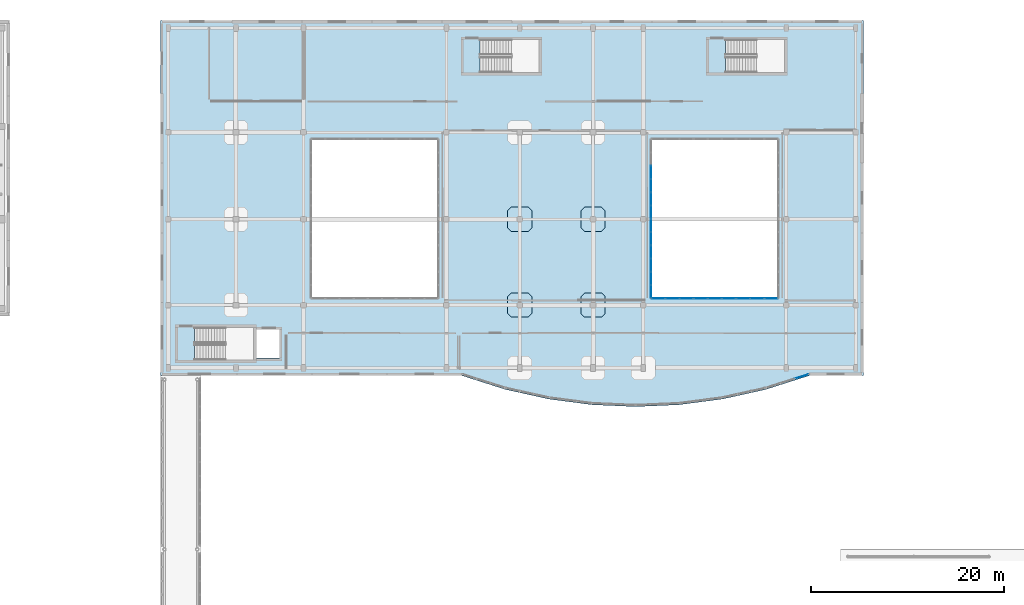
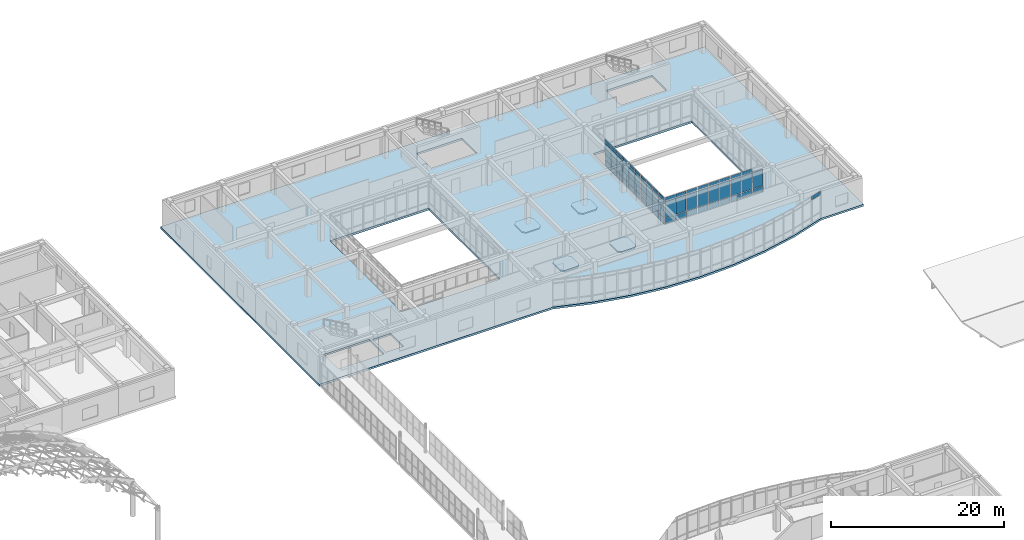
# One storey, part 119 of 146: 57 plates, 5 slabs, 7 elements without a shape of their own.
"""IFC4 building model written with IfcOpenShell, lengths in metres."""

from ifc_helpers import new_model, si_unit, direction, frame, origin, origin_2d, place, context, subcontext, project, spatial, polyline, rectangle, outline, extrude, material, layer, layer_set, type_object, element, aggregate, save


model = new_model("IFC4")

# Units and contexts
model_context = context("Model", 3, precision=1e-05, world=origin(), true_north=direction((0.0, 1.0)))
body_context = subcontext(model_context, "Body", "Model", "MODEL_VIEW")
ifc_project = project(units=[si_unit("LENGTHUNIT", "METRE"), si_unit("AREAUNIT", "SQUARE_METRE"), si_unit("VOLUMEUNIT", "CUBIC_METRE"), si_unit("PLANEANGLEUNIT", "RADIAN"), si_unit("MASSUNIT", "GRAM", prefix="KILO")], contexts=[model_context])

# Site, building, storey
site_placement = place(None, origin())
site = spatial("IfcSite", under=ifc_project, at=site_placement, CompositionType="ELEMENT")
building_placement = place(site_placement, origin())
building = spatial("IfcBuilding", under=site, at=building_placement, Name="Valcora Specialist Clinic", CompositionType="ELEMENT")
storey_placement = place(building_placement, frame((0.0, 0.0, 9.52001953125)))
storey = spatial("IfcBuildingStorey", under=building, at=storey_placement, Name="L02", CompositionType="ELEMENT", Elevation=9.52001953125)

# Curtain wall, plates
ifc_material_1 = material(Name="Anodized Bronze Aluminium 6063-T6", Category="aluminium")
ifc_layer_1 = layer(ifc_material_1, 0.175048828125)
ifc_layer_set_1 = layer_set([ifc_layer_1], Name="Anodized Bronze Aluminium 6063-T6")
curtain_wall_type_1 = type_object("IfcCurtainWallType", Name="TY-CW-CRT15", PredefinedType="NOTDEFINED", material=ifc_layer_set_1)
curtain_wall_1_placement = place(storey_placement, origin())
curtain_wall_1 = element("IfcCurtainWall", 1, at=curtain_wall_1_placement, inside=storey, type_object=curtain_wall_type_1, Name="Curtain wall CW-L02-106", PredefinedType="NOTDEFINED")
ifc_material_2 = material(Name="Low-E Laminated Insulating Glass", Category="glass")
ifc_layer_2 = layer(ifc_material_2, 0.028076171875)
ifc_layer_set_2 = layer_set([ifc_layer_2], Name="Low-E Laminated Insulating Glass")
plate_type_1 = type_object("IfcPlateType", Name="TY-CWP-GLZ28", PredefinedType="CURTAIN_PANEL", material=ifc_layer_set_2)
plate_1_placement = place(storey_placement, frame((117.149658203125, 82.0, 0.882568359375), z_axis=(0.0, 0.0, 1.0), x_axis=(1.0, 0.0, 0.0)))
plate_1 = element("IfcPlate", 2, at=plate_1_placement, type_object=plate_type_1, Name="CW-CRT-15 panel 1.2", PredefinedType="CURTAIN_PANEL", context=body_context, shape_type="SweptSolid", body=[
    extrude(rectangle(XDim=1.369140625, YDim=0.028076171875, at=origin_2d()), origin(), (0.0, 0.0, 1.0), 2.35498046875),
])
plate_2_placement = place(storey_placement, frame((117.149658203125, 82.0, 3.302734375), z_axis=(0.0, 0.0, 1.0), x_axis=(1.0, 0.0, 0.0)))
plate_2 = element("IfcPlate", 3, at=plate_2_placement, type_object=plate_type_1, Name="CW-CRT-15 panel 1.3", PredefinedType="CURTAIN_PANEL", context=body_context, shape_type="SweptSolid", body=[
    extrude(rectangle(XDim=1.369140625, YDim=0.028076171875, at=origin_2d()), origin(), (0.0, 0.0, 1.0), 0.452392578125),
])
plate_3_placement = place(storey_placement, frame((118.60009765625, 82.0, 0.882568359375), z_axis=(0.0, 0.0, 1.0), x_axis=(1.0, 0.0, 0.0)))
plate_3 = element("IfcPlate", 4, at=plate_3_placement, type_object=plate_type_1, Name="CW-CRT-15 panel 2.2", PredefinedType="CURTAIN_PANEL", context=body_context, shape_type="SweptSolid", body=[
    extrude(rectangle(XDim=1.401611328125, YDim=0.028076171875, at=origin_2d()), origin(), (0.0, 0.0, 1.0), 2.35498046875),
])
plate_4_placement = place(storey_placement, frame((118.60009765625, 82.0, 3.302734375), z_axis=(0.0, 0.0, 1.0), x_axis=(1.0, 0.0, 0.0)))
plate_4 = element("IfcPlate", 5, at=plate_4_placement, type_object=plate_type_1, Name="CW-CRT-15 panel 2.3", PredefinedType="CURTAIN_PANEL", context=body_context, shape_type="SweptSolid", body=[
    extrude(rectangle(XDim=1.401611328125, YDim=0.028076171875, at=origin_2d()), origin(), (0.0, 0.0, 1.0), 0.452392578125),
])
plate_5_placement = place(storey_placement, frame((120.050537109375, 82.0, 0.882568359375), z_axis=(0.0, 0.0, 1.0), x_axis=(1.0, 0.0, 0.0)))
plate_5 = element("IfcPlate", 6, at=plate_5_placement, type_object=plate_type_1, Name="CW-CRT-15 panel 3.2", PredefinedType="CURTAIN_PANEL", context=body_context, shape_type="SweptSolid", body=[
    extrude(rectangle(XDim=1.369140625, YDim=0.028076171875, at=origin_2d()), origin(), (0.0, 0.0, 1.0), 2.35498046875),
])
plate_6_placement = place(storey_placement, frame((120.050537109375, 82.0, 3.302734375), z_axis=(0.0, 0.0, 1.0), x_axis=(1.0, 0.0, 0.0)))
plate_6 = element("IfcPlate", 7, at=plate_6_placement, type_object=plate_type_1, Name="CW-CRT-15 panel 3.3", PredefinedType="CURTAIN_PANEL", context=body_context, shape_type="SweptSolid", body=[
    extrude(rectangle(XDim=1.369140625, YDim=0.028076171875, at=origin_2d()), origin(), (0.0, 0.0, 1.0), 0.452392578125),
])

curtain_wall_2_placement = place(storey_placement, origin())
curtain_wall_2 = element("IfcCurtainWall", 8, at=curtain_wall_2_placement, inside=storey, type_object=curtain_wall_type_1, Name="Curtain wall CW-L02-114", PredefinedType="NOTDEFINED")
plate_7_placement = place(storey_placement, frame((112.0, 95.0625, 0.882568359375), z_axis=(0.0, 0.0, 1.0), x_axis=(0.0, -1.0, 0.0)))
plate_7 = element("IfcPlate", 9, at=plate_7_placement, type_object=plate_type_1, Name="CW-CRT-15 panel 3.2", PredefinedType="CURTAIN_PANEL", context=body_context, shape_type="SweptSolid", body=[
    extrude(rectangle(XDim=1.31005859375, YDim=0.028076171875, at=origin_2d()), origin(), (0.0, 0.0, 1.0), 2.35498046875),
])
plate_8_placement = place(storey_placement, frame((112.0, 95.0625, 3.302734375), z_axis=(0.0, 0.0, 1.0), x_axis=(0.0, -1.0, 0.0)))
plate_8 = element("IfcPlate", 10, at=plate_8_placement, type_object=plate_type_1, Name="CW-CRT-15 panel 3.3", PredefinedType="CURTAIN_PANEL", context=body_context, shape_type="SweptSolid", body=[
    extrude(rectangle(XDim=1.31005859375, YDim=0.028076171875, at=origin_2d()), origin(), (0.0, 0.0, 1.0), 0.452392578125),
])
plate_9_placement = place(storey_placement, frame((112.0, 93.703857421875, 0.882568359375), z_axis=(0.0, 0.0, 1.0), x_axis=(0.0, -1.0, 0.0)))
plate_9 = element("IfcPlate", 11, at=plate_9_placement, type_object=plate_type_1, Name="CW-CRT-15 panel 4.2", PredefinedType="CURTAIN_PANEL", context=body_context, shape_type="SweptSolid", body=[
    extrude(rectangle(XDim=1.277587890625, YDim=0.028076171875, at=origin_2d()), origin(), (0.0, 0.0, 1.0), 2.35498046875),
])
plate_10_placement = place(storey_placement, frame((112.0, 93.703857421875, 3.302734375), z_axis=(0.0, 0.0, 1.0), x_axis=(0.0, -1.0, 0.0)))
plate_10 = element("IfcPlate", 12, at=plate_10_placement, type_object=plate_type_1, Name="CW-CRT-15 panel 4.3", PredefinedType="CURTAIN_PANEL", context=body_context, shape_type="SweptSolid", body=[
    extrude(rectangle(XDim=1.277587890625, YDim=0.028076171875, at=origin_2d()), origin(), (0.0, 0.0, 1.0), 0.452392578125),
])

curtain_wall_3_placement = place(storey_placement, origin())
curtain_wall_3 = element("IfcCurtainWall", 13, at=curtain_wall_3_placement, inside=storey, type_object=curtain_wall_type_1, Name="Curtain wall CW-L02-116", PredefinedType="NOTDEFINED")
plate_11_placement = place(storey_placement, frame((112.0, 86.796142578125, 0.882568359375), z_axis=(0.0, 0.0, 1.0), x_axis=(0.0, -1.0, 0.0)))
plate_11 = element("IfcPlate", 14, at=plate_11_placement, type_object=plate_type_1, Name="CW-CRT-15 panel 1.2", PredefinedType="CURTAIN_PANEL", context=body_context, shape_type="SweptSolid", body=[
    extrude(rectangle(XDim=1.277587890625, YDim=0.028076171875, at=origin_2d()), origin(), (0.0, 0.0, 1.0), 2.35498046875),
])
plate_12_placement = place(storey_placement, frame((112.0, 86.796142578125, 3.302734375), z_axis=(0.0, 0.0, 1.0), x_axis=(0.0, -1.0, 0.0)))
plate_12 = element("IfcPlate", 15, at=plate_12_placement, type_object=plate_type_1, Name="CW-CRT-15 panel 1.3", PredefinedType="CURTAIN_PANEL", context=body_context, shape_type="SweptSolid", body=[
    extrude(rectangle(XDim=1.277587890625, YDim=0.028076171875, at=origin_2d()), origin(), (0.0, 0.0, 1.0), 0.452392578125),
])
plate_13_placement = place(storey_placement, frame((112.0, 85.4375, 0.882568359375), z_axis=(0.0, 0.0, 1.0), x_axis=(0.0, -1.0, 0.0)))
plate_13 = element("IfcPlate", 16, at=plate_13_placement, type_object=plate_type_1, Name="CW-CRT-15 panel 2.2", PredefinedType="CURTAIN_PANEL", context=body_context, shape_type="SweptSolid", body=[
    extrude(rectangle(XDim=1.31005859375, YDim=0.028076171875, at=origin_2d()), origin(), (0.0, 0.0, 1.0), 2.35498046875),
])
plate_14_placement = place(storey_placement, frame((112.0, 85.4375, 3.302734375), z_axis=(0.0, 0.0, 1.0), x_axis=(0.0, -1.0, 0.0)))
plate_14 = element("IfcPlate", 17, at=plate_14_placement, type_object=plate_type_1, Name="CW-CRT-15 panel 2.3", PredefinedType="CURTAIN_PANEL", context=body_context, shape_type="SweptSolid", body=[
    extrude(rectangle(XDim=1.31005859375, YDim=0.028076171875, at=origin_2d()), origin(), (0.0, 0.0, 1.0), 0.452392578125),
])
plate_15_placement = place(storey_placement, frame((112.0, 84.0625, 0.882568359375), z_axis=(0.0, 0.0, 1.0), x_axis=(0.0, -1.0, 0.0)))
plate_15 = element("IfcPlate", 18, at=plate_15_placement, type_object=plate_type_1, Name="CW-CRT-15 panel 3.2", PredefinedType="CURTAIN_PANEL", context=body_context, shape_type="SweptSolid", body=[
    extrude(rectangle(XDim=1.31005859375, YDim=0.028076171875, at=origin_2d()), origin(), (0.0, 0.0, 1.0), 2.35498046875),
])
plate_16_placement = place(storey_placement, frame((112.0, 84.0625, 3.302734375), z_axis=(0.0, 0.0, 1.0), x_axis=(0.0, -1.0, 0.0)))
plate_16 = element("IfcPlate", 19, at=plate_16_placement, type_object=plate_type_1, Name="CW-CRT-15 panel 3.3", PredefinedType="CURTAIN_PANEL", context=body_context, shape_type="SweptSolid", body=[
    extrude(rectangle(XDim=1.31005859375, YDim=0.028076171875, at=origin_2d()), origin(), (0.0, 0.0, 1.0), 0.452392578125),
])
plate_17_placement = place(storey_placement, frame((112.0, 82.703857421875, 0.882568359375), z_axis=(0.0, 0.0, 1.0), x_axis=(0.0, -1.0, 0.0)))
plate_17 = element("IfcPlate", 20, at=plate_17_placement, type_object=plate_type_1, Name="CW-CRT-15 panel 4.2", PredefinedType="CURTAIN_PANEL", context=body_context, shape_type="SweptSolid", body=[
    extrude(rectangle(XDim=1.277587890625, YDim=0.028076171875, at=origin_2d()), origin(), (0.0, 0.0, 1.0), 2.35498046875),
])
plate_18_placement = place(storey_placement, frame((112.0, 82.703857421875, 3.302734375), z_axis=(0.0, 0.0, 1.0), x_axis=(0.0, -1.0, 0.0)))
plate_18 = element("IfcPlate", 21, at=plate_18_placement, type_object=plate_type_1, Name="CW-CRT-15 panel 4.3", PredefinedType="CURTAIN_PANEL", context=body_context, shape_type="SweptSolid", body=[
    extrude(rectangle(XDim=1.277587890625, YDim=0.028076171875, at=origin_2d()), origin(), (0.0, 0.0, 1.0), 0.452392578125),
])

# Curtain wall, plate
ifc_layer_3 = layer(ifc_material_1, 0.175048828125)
ifc_layer_set_3 = layer_set([ifc_layer_3], Name="Anodized Bronze Aluminium 6063-T6")
curtain_wall_type_2 = type_object("IfcCurtainWallType", Name="TY-CW-ARC40", PredefinedType="NOTDEFINED", material=ifc_layer_set_3)
curtain_wall_4_placement = place(storey_placement, origin())
curtain_wall_4 = element("IfcCurtainWall", 22, at=curtain_wall_4_placement, inside=storey, type_object=curtain_wall_type_2, Name="Curtain wall CW-L02-085", PredefinedType="NOTDEFINED")
ifc_layer_4 = layer(ifc_material_2, 0.033935546875)
ifc_layer_set_4 = layer_set([ifc_layer_4], Name="Low-E Laminated Insulating Glass")
plate_type_2 = type_object("IfcPlateType", Name="TY-CWP-GLZ34", PredefinedType="CURTAIN_PANEL", material=ifc_layer_set_4)
plate_19_placement = place(storey_placement, frame((127.608642578125, 73.905517578125, 3.302734375), z_axis=(0.0, 0.0, 1.0), x_axis=(-0.952916356972, -0.303233270958, 0.0)))
plate_19 = element("IfcPlate", 23, at=plate_19_placement, type_object=plate_type_2, Name="CW-ARC-40 panel 1.3", PredefinedType="CURTAIN_PANEL", context=body_context, shape_type="SweptSolid", body=[
    extrude(rectangle(XDim=1.482177734375, YDim=0.033935546875, at=origin_2d()), origin(), (0.0, 0.0, 1.0), 0.452392578125),
])
aggregate(curtain_wall_4, [plate_19])

# Curtain wall, plates
curtain_wall_5_placement = place(storey_placement, origin())
curtain_wall_5 = element("IfcCurtainWall", 24, at=curtain_wall_5_placement, inside=storey, type_object=curtain_wall_type_1, Name="Curtain wall CW-L02-105", PredefinedType="NOTDEFINED")
plate_20_placement = place(storey_placement, frame((112.74951171875, 82.0, 0.882568359375), z_axis=(0.0, 0.0, 1.0), x_axis=(1.0, 0.0, 0.0)))
plate_20 = element("IfcPlate", 25, at=plate_20_placement, type_object=plate_type_2, Name="CW-CRT-15 panel 1.2", PredefinedType="CURTAIN_PANEL", context=body_context, shape_type="SweptSolid", body=[
    extrude(rectangle(XDim=1.369140625, YDim=0.033935546875, at=origin_2d()), origin(), (0.0, 0.0, 1.0), 2.35498046875),
])
plate_21_placement = place(storey_placement, frame((112.74951171875, 82.0, 3.302734375), z_axis=(0.0, 0.0, 1.0), x_axis=(1.0, 0.0, 0.0)))
plate_21 = element("IfcPlate", 26, at=plate_21_placement, type_object=plate_type_2, Name="CW-CRT-15 panel 1.3", PredefinedType="CURTAIN_PANEL", context=body_context, shape_type="SweptSolid", body=[
    extrude(rectangle(XDim=1.369140625, YDim=0.033935546875, at=origin_2d()), origin(), (0.0, 0.0, 1.0), 0.452392578125),
])
plate_22_placement = place(storey_placement, frame((114.199951171875, 82.0, 0.882568359375), z_axis=(0.0, 0.0, 1.0), x_axis=(1.0, 0.0, 0.0)))
plate_22 = element("IfcPlate", 27, at=plate_22_placement, type_object=plate_type_2, Name="CW-CRT-15 panel 2.2", PredefinedType="CURTAIN_PANEL", context=body_context, shape_type="SweptSolid", body=[
    extrude(rectangle(XDim=1.401611328125, YDim=0.033935546875, at=origin_2d()), origin(), (0.0, 0.0, 1.0), 2.35498046875),
])
plate_23_placement = place(storey_placement, frame((114.199951171875, 82.0, 3.302734375), z_axis=(0.0, 0.0, 1.0), x_axis=(1.0, 0.0, 0.0)))
plate_23 = element("IfcPlate", 28, at=plate_23_placement, type_object=plate_type_2, Name="CW-CRT-15 panel 2.3", PredefinedType="CURTAIN_PANEL", context=body_context, shape_type="SweptSolid", body=[
    extrude(rectangle(XDim=1.401611328125, YDim=0.033935546875, at=origin_2d()), origin(), (0.0, 0.0, 1.0), 0.452392578125),
])
plate_24_placement = place(storey_placement, frame((115.650390625, 82.0, 0.882568359375), z_axis=(0.0, 0.0, 1.0), x_axis=(1.0, 0.0, 0.0)))
plate_24 = element("IfcPlate", 29, at=plate_24_placement, type_object=plate_type_2, Name="CW-CRT-15 panel 3.2", PredefinedType="CURTAIN_PANEL", context=body_context, shape_type="SweptSolid", body=[
    extrude(rectangle(XDim=1.369140625, YDim=0.033935546875, at=origin_2d()), origin(), (0.0, 0.0, 1.0), 2.35498046875),
])
plate_25_placement = place(storey_placement, frame((115.650390625, 82.0, 3.302734375), z_axis=(0.0, 0.0, 1.0), x_axis=(1.0, 0.0, 0.0)))
plate_25 = element("IfcPlate", 30, at=plate_25_placement, type_object=plate_type_2, Name="CW-CRT-15 panel 3.3", PredefinedType="CURTAIN_PANEL", context=body_context, shape_type="SweptSolid", body=[
    extrude(rectangle(XDim=1.369140625, YDim=0.033935546875, at=origin_2d()), origin(), (0.0, 0.0, 1.0), 0.452392578125),
])

curtain_wall_6_placement = place(storey_placement, origin())
curtain_wall_6 = element("IfcCurtainWall", 31, at=curtain_wall_6_placement, inside=storey, type_object=curtain_wall_type_1, Name="Curtain wall CW-L02-107", PredefinedType="NOTDEFINED")
plate_26_placement = place(storey_placement, frame((121.549560546875, 82.0, 0.882568359375), z_axis=(0.0, 0.0, 1.0), x_axis=(1.0, 0.0, 0.0)))
plate_26 = element("IfcPlate", 32, at=plate_26_placement, type_object=plate_type_2, Name="CW-CRT-15 panel 1.2", PredefinedType="CURTAIN_PANEL", context=body_context, shape_type="SweptSolid", body=[
    extrude(rectangle(XDim=1.369140625, YDim=0.033935546875, at=origin_2d()), origin(), (0.0, 0.0, 1.0), 2.35498046875),
])
plate_27_placement = place(storey_placement, frame((121.549560546875, 82.0, 3.302734375), z_axis=(0.0, 0.0, 1.0), x_axis=(1.0, 0.0, 0.0)))
plate_27 = element("IfcPlate", 33, at=plate_27_placement, type_object=plate_type_2, Name="CW-CRT-15 panel 1.3", PredefinedType="CURTAIN_PANEL", context=body_context, shape_type="SweptSolid", body=[
    extrude(rectangle(XDim=1.369140625, YDim=0.033935546875, at=origin_2d()), origin(), (0.0, 0.0, 1.0), 0.452392578125),
])
plate_28_placement = place(storey_placement, frame((123.0, 82.0, 0.882568359375), z_axis=(0.0, 0.0, 1.0), x_axis=(1.0, 0.0, 0.0)))
plate_28 = element("IfcPlate", 34, at=plate_28_placement, type_object=plate_type_2, Name="CW-CRT-15 panel 2.2", PredefinedType="CURTAIN_PANEL", context=body_context, shape_type="SweptSolid", body=[
    extrude(rectangle(XDim=1.401611328125, YDim=0.033935546875, at=origin_2d()), origin(), (0.0, 0.0, 1.0), 2.35498046875),
])
plate_29_placement = place(storey_placement, frame((123.0, 82.0, 3.302734375), z_axis=(0.0, 0.0, 1.0), x_axis=(1.0, 0.0, 0.0)))
plate_29 = element("IfcPlate", 35, at=plate_29_placement, type_object=plate_type_2, Name="CW-CRT-15 panel 2.3", PredefinedType="CURTAIN_PANEL", context=body_context, shape_type="SweptSolid", body=[
    extrude(rectangle(XDim=1.401611328125, YDim=0.033935546875, at=origin_2d()), origin(), (0.0, 0.0, 1.0), 0.452392578125),
])
plate_30_placement = place(storey_placement, frame((124.450439453125, 82.0, 0.882568359375), z_axis=(0.0, 0.0, 1.0), x_axis=(1.0, 0.0, 0.0)))
plate_30 = element("IfcPlate", 36, at=plate_30_placement, type_object=plate_type_2, Name="CW-CRT-15 panel 3.2", PredefinedType="CURTAIN_PANEL", context=body_context, shape_type="SweptSolid", body=[
    extrude(rectangle(XDim=1.369140625, YDim=0.033935546875, at=origin_2d()), origin(), (0.0, 0.0, 1.0), 2.35498046875),
])

curtain_wall_7_placement = place(storey_placement, origin())
curtain_wall_7 = element("IfcCurtainWall", 37, at=curtain_wall_7_placement, inside=storey, type_object=curtain_wall_type_1, Name="Curtain wall CW-L02-115", PredefinedType="NOTDEFINED")
plate_31_placement = place(storey_placement, frame((112.0, 92.296142578125, 0.882568359375), z_axis=(0.0, 0.0, 1.0), x_axis=(0.0, -1.0, 0.0)))
plate_31 = element("IfcPlate", 38, at=plate_31_placement, type_object=plate_type_2, Name="CW-CRT-15 panel 1.2", PredefinedType="CURTAIN_PANEL", context=body_context, shape_type="SweptSolid", body=[
    extrude(rectangle(XDim=1.277587890625, YDim=0.033935546875, at=origin_2d()), origin(), (0.0, 0.0, 1.0), 2.35498046875),
])
plate_32_placement = place(storey_placement, frame((112.0, 92.296142578125, 3.302734375), z_axis=(0.0, 0.0, 1.0), x_axis=(0.0, -1.0, 0.0)))
plate_32 = element("IfcPlate", 39, at=plate_32_placement, type_object=plate_type_2, Name="CW-CRT-15 panel 1.3", PredefinedType="CURTAIN_PANEL", context=body_context, shape_type="SweptSolid", body=[
    extrude(rectangle(XDim=1.277587890625, YDim=0.033935546875, at=origin_2d()), origin(), (0.0, 0.0, 1.0), 0.452392578125),
])
plate_33_placement = place(storey_placement, frame((112.0, 90.9375, 0.882568359375), z_axis=(0.0, 0.0, 1.0), x_axis=(0.0, -1.0, 0.0)))
plate_33 = element("IfcPlate", 40, at=plate_33_placement, type_object=plate_type_2, Name="CW-CRT-15 panel 2.2", PredefinedType="CURTAIN_PANEL", context=body_context, shape_type="SweptSolid", body=[
    extrude(rectangle(XDim=1.31005859375, YDim=0.033935546875, at=origin_2d()), origin(), (0.0, 0.0, 1.0), 2.35498046875),
])
plate_34_placement = place(storey_placement, frame((112.0, 90.9375, 3.302734375), z_axis=(0.0, 0.0, 1.0), x_axis=(0.0, -1.0, 0.0)))
plate_34 = element("IfcPlate", 41, at=plate_34_placement, type_object=plate_type_2, Name="CW-CRT-15 panel 2.3", PredefinedType="CURTAIN_PANEL", context=body_context, shape_type="SweptSolid", body=[
    extrude(rectangle(XDim=1.31005859375, YDim=0.033935546875, at=origin_2d()), origin(), (0.0, 0.0, 1.0), 0.452392578125),
])
plate_35_placement = place(storey_placement, frame((112.0, 89.5625, 0.882568359375), z_axis=(0.0, 0.0, 1.0), x_axis=(0.0, -1.0, 0.0)))
plate_35 = element("IfcPlate", 42, at=plate_35_placement, type_object=plate_type_2, Name="CW-CRT-15 panel 3.2", PredefinedType="CURTAIN_PANEL", context=body_context, shape_type="SweptSolid", body=[
    extrude(rectangle(XDim=1.31005859375, YDim=0.033935546875, at=origin_2d()), origin(), (0.0, 0.0, 1.0), 2.35498046875),
])
plate_36_placement = place(storey_placement, frame((112.0, 89.5625, 3.302734375), z_axis=(0.0, 0.0, 1.0), x_axis=(0.0, -1.0, 0.0)))
plate_36 = element("IfcPlate", 43, at=plate_36_placement, type_object=plate_type_2, Name="CW-CRT-15 panel 3.3", PredefinedType="CURTAIN_PANEL", context=body_context, shape_type="SweptSolid", body=[
    extrude(rectangle(XDim=1.31005859375, YDim=0.033935546875, at=origin_2d()), origin(), (0.0, 0.0, 1.0), 0.452392578125),
])
plate_37_placement = place(storey_placement, frame((112.0, 88.203857421875, 0.882568359375), z_axis=(0.0, 0.0, 1.0), x_axis=(0.0, -1.0, 0.0)))
plate_37 = element("IfcPlate", 44, at=plate_37_placement, type_object=plate_type_2, Name="CW-CRT-15 panel 4.2", PredefinedType="CURTAIN_PANEL", context=body_context, shape_type="SweptSolid", body=[
    extrude(rectangle(XDim=1.277587890625, YDim=0.033935546875, at=origin_2d()), origin(), (0.0, 0.0, 1.0), 2.35498046875),
])
plate_38_placement = place(storey_placement, frame((112.0, 88.203857421875, 3.302734375), z_axis=(0.0, 0.0, 1.0), x_axis=(0.0, -1.0, 0.0)))
plate_38 = element("IfcPlate", 45, at=plate_38_placement, type_object=plate_type_2, Name="CW-CRT-15 panel 4.3", PredefinedType="CURTAIN_PANEL", context=body_context, shape_type="SweptSolid", body=[
    extrude(rectangle(XDim=1.277587890625, YDim=0.033935546875, at=origin_2d()), origin(), (0.0, 0.0, 1.0), 0.452392578125),
])

# Plate
ifc_material_3 = material(Name="Insulated Spandrel Panel")
ifc_layer_5 = layer(ifc_material_3, 0.044921875)
ifc_layer_set_5 = layer_set([ifc_layer_5], Name="Insulated Spandrel Panel")
plate_type_3 = type_object("IfcPlateType", Name="TY-CWP-SPN45", PredefinedType="SHEET", material=ifc_layer_set_5)
plate_39_placement = place(storey_placement, frame((112.74951171875, 82.0, 0.06494140625), z_axis=(0.0, 0.0, 1.0), x_axis=(1.0, 0.0, 0.0)))
plate_39 = element("IfcPlate", 46, at=plate_39_placement, type_object=plate_type_3, Name="CW-CRT-15 panel 1.1", PredefinedType="SHEET", context=body_context, shape_type="SweptSolid", body=[
    extrude(rectangle(XDim=1.369140625, YDim=0.044921875, at=origin_2d()), origin(), (0.0, 0.0, 1.0), 0.75244140625),
])

plate_40_placement = place(storey_placement, frame((114.199951171875, 82.0, 0.06494140625), z_axis=(0.0, 0.0, 1.0), x_axis=(1.0, 0.0, 0.0)))
plate_40 = element("IfcPlate", 47, at=plate_40_placement, type_object=plate_type_3, Name="CW-CRT-15 panel 2.1", PredefinedType="SHEET", context=body_context, shape_type="SweptSolid", body=[
    extrude(rectangle(XDim=1.401611328125, YDim=0.044921875, at=origin_2d()), origin(), (0.0, 0.0, 1.0), 0.75244140625),
])

plate_41_placement = place(storey_placement, frame((115.650390625, 82.0, 0.06494140625), z_axis=(0.0, 0.0, 1.0), x_axis=(1.0, 0.0, 0.0)))
plate_41 = element("IfcPlate", 48, at=plate_41_placement, type_object=plate_type_3, Name="CW-CRT-15 panel 3.1", PredefinedType="SHEET", context=body_context, shape_type="SweptSolid", body=[
    extrude(rectangle(XDim=1.369140625, YDim=0.044921875, at=origin_2d()), origin(), (0.0, 0.0, 1.0), 0.75244140625),
])

aggregate(curtain_wall_5, [plate_39, plate_20, plate_21, plate_40, plate_22, plate_23, plate_41, plate_24, plate_25])

plate_42_placement = place(storey_placement, frame((117.149658203125, 82.0, 0.06494140625), z_axis=(0.0, 0.0, 1.0), x_axis=(1.0, 0.0, 0.0)))
plate_42 = element("IfcPlate", 49, at=plate_42_placement, type_object=plate_type_3, Name="CW-CRT-15 panel 1.1", PredefinedType="SHEET", context=body_context, shape_type="SweptSolid", body=[
    extrude(rectangle(XDim=1.369140625, YDim=0.044921875, at=origin_2d()), origin(), (0.0, 0.0, 1.0), 0.75244140625),
])

plate_43_placement = place(storey_placement, frame((118.60009765625, 82.0, 0.06494140625), z_axis=(0.0, 0.0, 1.0), x_axis=(1.0, 0.0, 0.0)))
plate_43 = element("IfcPlate", 50, at=plate_43_placement, type_object=plate_type_3, Name="CW-CRT-15 panel 2.1", PredefinedType="SHEET", context=body_context, shape_type="SweptSolid", body=[
    extrude(rectangle(XDim=1.401611328125, YDim=0.044921875, at=origin_2d()), origin(), (0.0, 0.0, 1.0), 0.75244140625),
])

plate_44_placement = place(storey_placement, frame((120.050537109375, 82.0, 0.06494140625), z_axis=(0.0, 0.0, 1.0), x_axis=(1.0, 0.0, 0.0)))
plate_44 = element("IfcPlate", 51, at=plate_44_placement, type_object=plate_type_3, Name="CW-CRT-15 panel 3.1", PredefinedType="SHEET", context=body_context, shape_type="SweptSolid", body=[
    extrude(rectangle(XDim=1.369140625, YDim=0.044921875, at=origin_2d()), origin(), (0.0, 0.0, 1.0), 0.75244140625),
])

aggregate(curtain_wall_1, [plate_42, plate_1, plate_2, plate_43, plate_3, plate_4, plate_44, plate_5, plate_6])

plate_45_placement = place(storey_placement, frame((121.549560546875, 82.0, 0.06494140625), z_axis=(0.0, 0.0, 1.0), x_axis=(1.0, 0.0, 0.0)))
plate_45 = element("IfcPlate", 52, at=plate_45_placement, type_object=plate_type_3, Name="CW-CRT-15 panel 1.1", PredefinedType="SHEET", context=body_context, shape_type="SweptSolid", body=[
    extrude(rectangle(XDim=1.369140625, YDim=0.044921875, at=origin_2d()), origin(), (0.0, 0.0, 1.0), 0.75244140625),
])

plate_46_placement = place(storey_placement, frame((123.0, 82.0, 0.06494140625), z_axis=(0.0, 0.0, 1.0), x_axis=(1.0, 0.0, 0.0)))
plate_46 = element("IfcPlate", 53, at=plate_46_placement, type_object=plate_type_3, Name="CW-CRT-15 panel 2.1", PredefinedType="SHEET", context=body_context, shape_type="SweptSolid", body=[
    extrude(rectangle(XDim=1.401611328125, YDim=0.044921875, at=origin_2d()), origin(), (0.0, 0.0, 1.0), 0.75244140625),
])

plate_47_placement = place(storey_placement, frame((124.450439453125, 82.0, 0.06494140625), z_axis=(0.0, 0.0, 1.0), x_axis=(1.0, 0.0, 0.0)))
plate_47 = element("IfcPlate", 54, at=plate_47_placement, type_object=plate_type_3, Name="CW-CRT-15 panel 3.1", PredefinedType="SHEET", context=body_context, shape_type="SweptSolid", body=[
    extrude(rectangle(XDim=1.369140625, YDim=0.044921875, at=origin_2d()), origin(), (0.0, 0.0, 1.0), 0.75244140625),
])

aggregate(curtain_wall_6, [plate_45, plate_26, plate_27, plate_46, plate_28, plate_29, plate_47, plate_30])

plate_48_placement = place(storey_placement, frame((112.0, 95.0625, 0.06494140625), z_axis=(0.0, 0.0, 1.0), x_axis=(0.0, -1.0, 0.0)))
plate_48 = element("IfcPlate", 55, at=plate_48_placement, type_object=plate_type_3, Name="CW-CRT-15 panel 3.1", PredefinedType="SHEET", context=body_context, shape_type="SweptSolid", body=[
    extrude(rectangle(XDim=1.31005859375, YDim=0.044921875, at=origin_2d()), origin(), (0.0, 0.0, 1.0), 0.75244140625),
])

plate_49_placement = place(storey_placement, frame((112.0, 93.703857421875, 0.06494140625), z_axis=(0.0, 0.0, 1.0), x_axis=(0.0, -1.0, 0.0)))
plate_49 = element("IfcPlate", 56, at=plate_49_placement, type_object=plate_type_3, Name="CW-CRT-15 panel 4.1", PredefinedType="SHEET", context=body_context, shape_type="SweptSolid", body=[
    extrude(rectangle(XDim=1.277587890625, YDim=0.044921875, at=origin_2d()), origin(), (0.0, 0.0, 1.0), 0.75244140625),
])

aggregate(curtain_wall_2, [plate_48, plate_7, plate_8, plate_49, plate_9, plate_10])

plate_50_placement = place(storey_placement, frame((112.0, 92.296142578125, 0.06494140625), z_axis=(0.0, 0.0, 1.0), x_axis=(0.0, -1.0, 0.0)))
plate_50 = element("IfcPlate", 57, at=plate_50_placement, type_object=plate_type_3, Name="CW-CRT-15 panel 1.1", PredefinedType="SHEET", context=body_context, shape_type="SweptSolid", body=[
    extrude(rectangle(XDim=1.277587890625, YDim=0.044921875, at=origin_2d()), origin(), (0.0, 0.0, 1.0), 0.75244140625),
])

plate_51_placement = place(storey_placement, frame((112.0, 90.9375, 0.06494140625), z_axis=(0.0, 0.0, 1.0), x_axis=(0.0, -1.0, 0.0)))
plate_51 = element("IfcPlate", 58, at=plate_51_placement, type_object=plate_type_3, Name="CW-CRT-15 panel 2.1", PredefinedType="SHEET", context=body_context, shape_type="SweptSolid", body=[
    extrude(rectangle(XDim=1.31005859375, YDim=0.044921875, at=origin_2d()), origin(), (0.0, 0.0, 1.0), 0.75244140625),
])

plate_52_placement = place(storey_placement, frame((112.0, 89.5625, 0.06494140625), z_axis=(0.0, 0.0, 1.0), x_axis=(0.0, -1.0, 0.0)))
plate_52 = element("IfcPlate", 59, at=plate_52_placement, type_object=plate_type_3, Name="CW-CRT-15 panel 3.1", PredefinedType="SHEET", context=body_context, shape_type="SweptSolid", body=[
    extrude(rectangle(XDim=1.31005859375, YDim=0.044921875, at=origin_2d()), origin(), (0.0, 0.0, 1.0), 0.75244140625),
])

plate_53_placement = place(storey_placement, frame((112.0, 88.203857421875, 0.06494140625), z_axis=(0.0, 0.0, 1.0), x_axis=(0.0, -1.0, 0.0)))
plate_53 = element("IfcPlate", 60, at=plate_53_placement, type_object=plate_type_3, Name="CW-CRT-15 panel 4.1", PredefinedType="SHEET", context=body_context, shape_type="SweptSolid", body=[
    extrude(rectangle(XDim=1.277587890625, YDim=0.044921875, at=origin_2d()), origin(), (0.0, 0.0, 1.0), 0.75244140625),
])

aggregate(curtain_wall_7, [plate_50, plate_31, plate_32, plate_51, plate_33, plate_34, plate_52, plate_35, plate_36, plate_53, plate_37, plate_38])

plate_54_placement = place(storey_placement, frame((112.0, 86.796142578125, 0.06494140625), z_axis=(0.0, 0.0, 1.0), x_axis=(0.0, -1.0, 0.0)))
plate_54 = element("IfcPlate", 61, at=plate_54_placement, type_object=plate_type_3, Name="CW-CRT-15 panel 1.1", PredefinedType="SHEET", context=body_context, shape_type="SweptSolid", body=[
    extrude(rectangle(XDim=1.277587890625, YDim=0.044921875, at=origin_2d()), origin(), (0.0, 0.0, 1.0), 0.75244140625),
])

plate_55_placement = place(storey_placement, frame((112.0, 85.4375, 0.06494140625), z_axis=(0.0, 0.0, 1.0), x_axis=(0.0, -1.0, 0.0)))
plate_55 = element("IfcPlate", 62, at=plate_55_placement, type_object=plate_type_3, Name="CW-CRT-15 panel 2.1", PredefinedType="SHEET", context=body_context, shape_type="SweptSolid", body=[
    extrude(rectangle(XDim=1.31005859375, YDim=0.044921875, at=origin_2d()), origin(), (0.0, 0.0, 1.0), 0.75244140625),
])

plate_56_placement = place(storey_placement, frame((112.0, 84.0625, 0.06494140625), z_axis=(0.0, 0.0, 1.0), x_axis=(0.0, -1.0, 0.0)))
plate_56 = element("IfcPlate", 63, at=plate_56_placement, type_object=plate_type_3, Name="CW-CRT-15 panel 3.1", PredefinedType="SHEET", context=body_context, shape_type="SweptSolid", body=[
    extrude(rectangle(XDim=1.31005859375, YDim=0.044921875, at=origin_2d()), origin(), (0.0, 0.0, 1.0), 0.75244140625),
])

plate_57_placement = place(storey_placement, frame((112.0, 82.703857421875, 0.06494140625), z_axis=(0.0, 0.0, 1.0), x_axis=(0.0, -1.0, 0.0)))
plate_57 = element("IfcPlate", 64, at=plate_57_placement, type_object=plate_type_3, Name="CW-CRT-15 panel 4.1", PredefinedType="SHEET", context=body_context, shape_type="SweptSolid", body=[
    extrude(rectangle(XDim=1.277587890625, YDim=0.044921875, at=origin_2d()), origin(), (0.0, 0.0, 1.0), 0.75244140625),
])

aggregate(curtain_wall_3, [plate_54, plate_11, plate_12, plate_55, plate_13, plate_14, plate_56, plate_15, plate_16, plate_57, plate_17, plate_18])

# Slabs
ifc_material_4 = material(Name="Concrete C40/50", Category="concrete")
ifc_layer_6 = layer(ifc_material_4, 0.175048828125)
ifc_layer_set_6 = layer_set([ifc_layer_6], Name="Concrete C40/50")
slab_type_1 = type_object("IfcSlabType", Name="TY-SL-DP175", PredefinedType="FLOOR", material=ifc_layer_set_6)
slab_1_placement = place(storey_placement, frame((0.0, 0.0, -0.449951171875)))
element("IfcSlab", 65, at=slab_1_placement, inside=storey, type_object=slab_type_1, Name="V4 column drop panel SL-L02-053", PredefinedType="FLOOR", context=body_context, shape_type="SweptSolid", body=[
    extrude(outline(polyline([(97.52001953125, 88.949951171875), (99.280029296875, 88.949951171875), (99.64990234375, 89.320068359375), (99.64990234375, 91.080078125), (99.280029296875, 91.449951171875), (97.52001953125, 91.449951171875), (97.14990234375, 91.080078125), (97.14990234375, 89.320068359375), (97.52001953125, 88.949951171875)])), origin(), (0.0, 0.0, 1.0), 0.175048828125),
])
slab_2_placement = place(storey_placement, frame((0.0, 0.0, -0.449951171875)))
element("IfcSlab", 66, at=slab_2_placement, inside=storey, type_object=slab_type_1, Name="V4 column drop panel SL-L02-056", PredefinedType="FLOOR", context=body_context, shape_type="SweptSolid", body=[
    extrude(outline(polyline([(105.1201171875, 80.050048828125), (106.8798828125, 80.050048828125), (107.25, 80.419921875), (107.25, 82.179931640625), (106.8798828125, 82.550048828125), (105.1201171875, 82.550048828125), (104.75, 82.179931640625), (104.75, 80.419921875), (105.1201171875, 80.050048828125)])), origin(), (0.0, 0.0, 1.0), 0.175048828125),
])
ifc_layer_7 = layer(ifc_material_4, 0.18994140625)
ifc_layer_set_7 = layer_set([ifc_layer_7], Name="Concrete C40/50")
slab_type_2 = type_object("IfcSlabType", Name="TY-SL-DP190", PredefinedType="FLOOR", material=ifc_layer_set_7)
slab_3_placement = place(storey_placement, frame((0.0, 0.0, -0.465087890625)))
element("IfcSlab", 67, at=slab_3_placement, inside=storey, type_object=slab_type_2, Name="V4 column drop panel SL-L02-057", PredefinedType="FLOOR", context=body_context, shape_type="SweptSolid", body=[
    extrude(outline(polyline([(105.1201171875, 88.949951171875), (106.8798828125, 88.949951171875), (107.25, 89.320068359375), (107.25, 91.080078125), (106.8798828125, 91.449951171875), (105.1201171875, 91.449951171875), (104.75, 91.080078125), (104.75, 89.320068359375), (105.1201171875, 88.949951171875)])), origin(), (0.0, 0.0, 1.0), 0.190185546875),
])
ifc_layer_8 = layer(ifc_material_4, 0.235107421875)
ifc_layer_set_8 = layer_set([ifc_layer_8], Name="Concrete C40/50")
slab_type_3 = type_object("IfcSlabType", Name="TY-SL-DP235", PredefinedType="FLOOR", material=ifc_layer_set_8)
slab_4_placement = place(storey_placement, frame((0.0, 0.0, -0.510009765625)))
element("IfcSlab", 68, at=slab_4_placement, inside=storey, type_object=slab_type_3, Name="V4 column drop panel SL-L02-052", PredefinedType="FLOOR", context=body_context, shape_type="SweptSolid", body=[
    extrude(outline(polyline([(97.52001953125, 80.050048828125), (99.280029296875, 80.050048828125), (99.64990234375, 80.419921875), (99.64990234375, 82.179931640625), (99.280029296875, 82.550048828125), (97.52001953125, 82.550048828125), (97.14990234375, 82.179931640625), (97.14990234375, 80.419921875), (97.52001953125, 80.050048828125)])), origin(), (0.0, 0.0, 1.0), 0.235107421875),
])
ifc_layer_9 = layer(ifc_material_4, 0.27490234375)
ifc_layer_set_9 = layer_set([ifc_layer_9], Name="Concrete C40/50")
slab_type_4 = type_object("IfcSlabType", Name="TY-SL-FLR275", PredefinedType="FLOOR", material=ifc_layer_set_9)
slab_5_placement = place(storey_placement, frame((0.0, 0.0, -0.27490234375)))
element("IfcSlab", 69, at=slab_5_placement, inside=storey, type_object=slab_type_4, Name="V4 L02 structural slab SL-L02-011", PredefinedType="FLOOR", context=body_context, shape_type="SweptSolid", body=[
    extrude(outline(polyline([(61.199951171875, 74.0), (92.39990234375, 74.0), (96.89990234375, 72.568115234375), (101.39990234375, 71.570068359375), (105.89990234375, 70.97998046875), (110.39990234375, 70.784912109375), (114.89990234375, 70.97998046875), (119.39990234375, 71.570068359375), (123.89990234375, 72.568115234375), (128.39990234375, 74.0), (134.0, 74.0), (134.0, 110.800048828125), (61.199951171875, 110.800048828125), (61.199951171875, 74.0)]), holes=[polyline([(76.800048828125, 82.0), (90.0, 82.0), (90.0, 98.5), (76.800048828125, 98.5), (76.800048828125, 82.0)]), polyline([(112.0, 82.0), (125.199951171875, 82.0), (125.199951171875, 98.5), (112.0, 98.5), (112.0, 82.0)]), polyline([(64.70068359375, 75.60009765625), (70.800048828125, 75.60009765625), (70.800048828125, 79.0), (64.70068359375, 79.0), (64.70068359375, 75.60009765625)]), polyline([(71.1201171875, 75.800048828125), (73.52001953125, 75.800048828125), (73.52001953125, 78.800048828125), (71.1201171875, 78.800048828125), (71.1201171875, 75.800048828125)]), polyline([(94.30078125, 105.39990234375), (100.39990234375, 105.39990234375), (100.39990234375, 108.800048828125), (94.30078125, 108.800048828125), (94.30078125, 105.39990234375)]), polyline([(119.70068359375, 105.39990234375), (125.800048828125, 105.39990234375), (125.800048828125, 108.800048828125), (119.70068359375, 108.800048828125), (119.70068359375, 105.39990234375)])]), origin(), (0.0, 0.0, 1.0), 0.27490234375),
])

save(model, "model.ifc")
